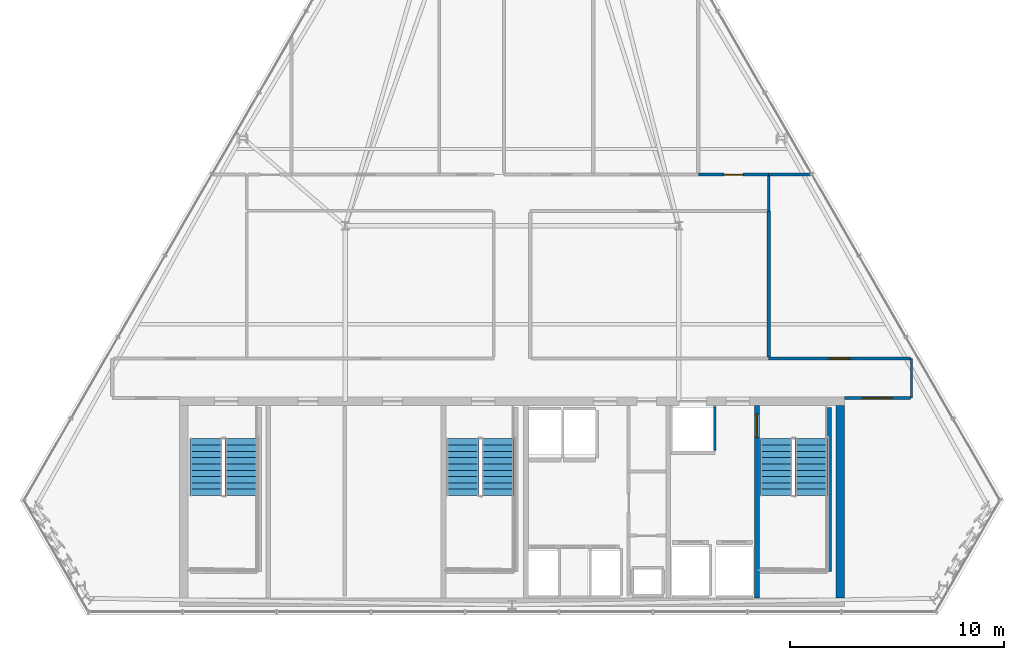
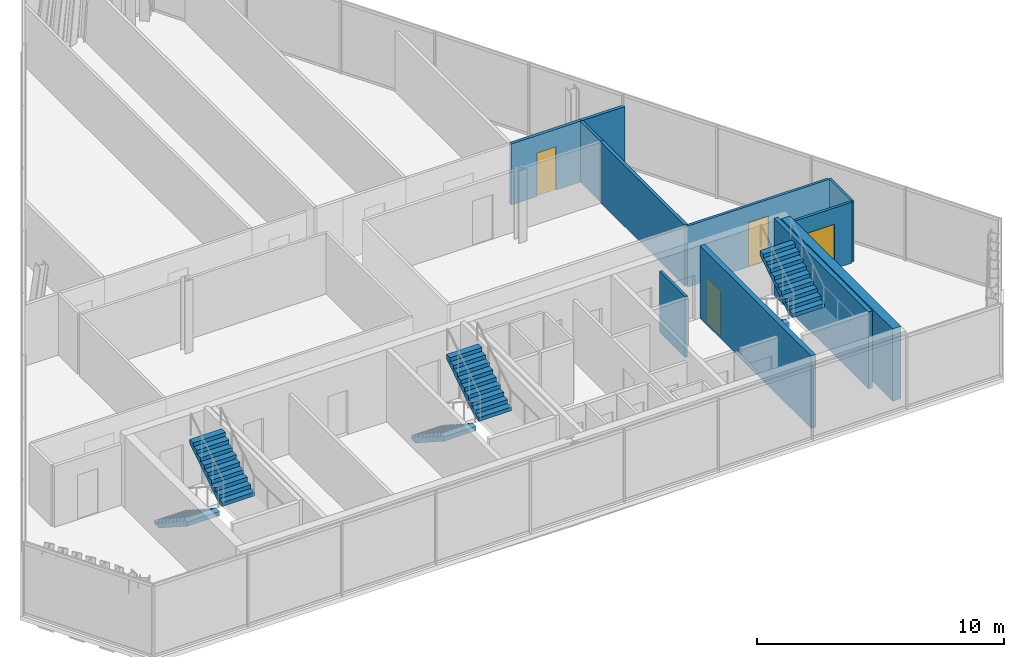
# One storey, part 29 of 32: 11 walls, 6 stair flights, 4 doors, 4 openings, 3 elements without a shape of their own.
"""IFC4 building model written with IfcOpenShell, lengths in metres."""

from ifc_helpers import new_model, si_unit, direction, frame, frame_2d, origin, place, context, subcontext, project, spatial, polyline, rectangle, outline, extrude, material, layer, layer_set, type_object, element, fill, aggregate, save


model = new_model("IFC4")

# Units and contexts
model_context = context("Model", 3, precision=1e-05, world=origin(), true_north=direction((0.0, 1.0)))
body_context = subcontext(model_context, "Body", "Model", "MODEL_VIEW")
ifc_project = project(units=[si_unit("LENGTHUNIT", "METRE"), si_unit("AREAUNIT", "SQUARE_METRE"), si_unit("VOLUMEUNIT", "CUBIC_METRE"), si_unit("PLANEANGLEUNIT", "RADIAN"), si_unit("MASSUNIT", "GRAM", prefix="KILO")], contexts=[model_context])

# Site, building, storey
site_placement = place(None, origin())
site = spatial("IfcSite", under=ifc_project, at=site_placement, CompositionType="ELEMENT")
building_placement = place(site_placement, origin())
building = spatial("IfcBuilding", under=site, at=building_placement, Name="Ndaravel Arena Tower", CompositionType="ELEMENT")
storey_placement = place(building_placement, frame((0.0, 0.0, 259.800048828125)))
storey = spatial("IfcBuildingStorey", under=building, at=storey_placement, Name="L63", CompositionType="ELEMENT", Elevation=259.800048828125)

# Wall, opening, door
ifc_material_1 = material(Name="Concrete C50/60", Category="concrete")
ifc_layer_1 = layer(ifc_material_1, 0.219970703125)
ifc_layer_set_1 = layer_set([ifc_layer_1], Name="Concrete C50/60")
wall_type_1 = type_object("IfcWallType", Name="WALL-CORE-220", PredefinedType="SOLIDWALL", material=ifc_layer_set_1)
wall_1_placement = place(storey_placement, frame((53.449951171875, 5.800048828125, 0.0), z_axis=(0.0, 0.0, 1.0), x_axis=(0.0, 1.0, 0.0)))
wall_1 = element("IfcWall", 1, at=wall_1_placement, inside=storey, type_object=wall_type_1, Name="L63 Core Web Shear Wall 5", PredefinedType="SOLIDWALL", context=body_context, shape_type="SweptSolid", body=[
    extrude(rectangle(XDim=9.0, YDim=0.219970703125, at=frame_2d((4.5, 0.0))), origin(), (0.0, 0.0, 1.0), 3.579833984375),
])
opening_1_placement = place(wall_1_placement, frame((7.5, 0.0, 0.0)))
opening_1 = element("IfcOpeningElement", 2, at=opening_1_placement, cuts=wall_1, Name="Opening FD-01", PredefinedType="OPENING", context=body_context, shape_type="SweptSolid", body=[
    extrude(rectangle(XDim=1.10009765625, YDim=2.199951171875, at=frame_2d((0.550048828125, 1.10009765625))), frame((0.0, 0.10986328125, 0.0), z_axis=(0.0, -1.0, 0.0), x_axis=(1.0, 0.0, 0.0)), (0.0, 0.0, 1.0), 0.219970703125),
])
ifc_material_2 = material(Name="Steel S355", Category="steel")
door_type_1 = type_object("IfcDoorType", Name="DT-01-STAIR-1100", OperationType="SINGLE_SWING_LEFT", PredefinedType="DOOR", material=ifc_material_2)
door_1_placement = place(opening_1_placement, origin())
door_1 = element("IfcDoor", 3, at=door_1_placement, inside=storey, type_object=door_type_1, Name="L63 Firefighting Lobby to ST-3 Door", OperationType="SINGLE_SWING_LEFT", OverallHeight=2.199951171875, OverallWidth=1.10009765625, PredefinedType="DOOR", context=body_context, shape_type="SweptSolid", body=[
    extrude(rectangle(XDim=1.10009765625, YDim=2.199951171875, at=frame_2d((0.550048828125, 1.10009765625))), frame((0.0, 0.02490234375, 0.0), z_axis=(0.0, -1.0, 0.0), x_axis=(1.0, 0.0, 0.0)), (0.0, 0.0, 1.0), 0.050048828125),
])
fill(opening_1, door_1)

# Walls
ifc_material_3 = material(Name="Concrete C50/60", Category="concrete")
ifc_layer_2 = layer(ifc_material_3, 0.39990234375)
ifc_layer_set_2 = layer_set([ifc_layer_2], Name="Concrete C50/60")
wall_type_2 = type_object("IfcWallType", Name="WALL-CORE-400", PredefinedType="SOLIDWALL", material=ifc_layer_set_2)
wall_2_placement = place(storey_placement, frame((57.35009765625, 5.800048828125, 0.0), z_axis=(0.0, 0.0, 1.0), x_axis=(0.0, 1.0, 0.0)))
element("IfcWall", 4, at=wall_2_placement, inside=storey, type_object=wall_type_2, Name="L63 Core East Shear Wall", PredefinedType="SOLIDWALL", context=body_context, shape_type="SweptSolid", body=[
    extrude(rectangle(XDim=9.0, YDim=0.39990234375, at=frame_2d((4.5, 0.0))), origin(), (0.0, 0.0, 1.0), 3.579833984375),
])
ifc_material_4 = material(Name="Timber", Category="wood")
ifc_layer_3 = layer(ifc_material_4, 0.10009765625)
ifc_layer_set_3 = layer_set([ifc_layer_3], Name="Timber")
wall_type_3 = type_object("IfcWallType", Name="WALL-MOVABLE-100", PredefinedType="MOVABLE", material=ifc_layer_set_3)
wall_3_placement = place(storey_placement, frame((60.68505859375, 17.0, 0.0), z_axis=(0.0, 0.0, 1.0), x_axis=(0.0, -1.0, 0.0)))
element("IfcWall", 5, at=wall_3_placement, inside=storey, type_object=wall_type_3, Name="L63 Interior Partition 001", PredefinedType="MOVABLE", context=body_context, shape_type="SweptSolid", body=[
    extrude(rectangle(XDim=1.85009765625, YDim=0.10009765625, at=frame_2d((0.925048828125, 0.0))), origin(), (0.0, 0.0, 1.0), 3.010498046875),
])

# Wall, opening, door
ifc_material_5 = material(Name="Gypsum", Category="gypsum")
ifc_layer_4 = layer(ifc_material_5, 0.125)
ifc_layer_set_4 = layer_set([ifc_layer_4], Name="Gypsum")
wall_type_4 = type_object("IfcWallType", Name="WALL-PART-125", PredefinedType="PARTITIONING", material=ifc_layer_set_4)
wall_4_placement = place(storey_placement, frame((60.6201171875, 15.14990234375, 0.0), z_axis=(0.0, 0.0, 1.0), x_axis=(-1.0, 0.0, 0.0)))
wall_4 = element("IfcWall", 6, at=wall_4_placement, inside=storey, type_object=wall_type_4, Name="L63 Interior Partition 002", PredefinedType="PARTITIONING", context=body_context, shape_type="SweptSolid", body=[
    extrude(rectangle(XDim=3.070068359375, YDim=0.125, at=frame_2d((1.53515625, 0.0))), origin(), (0.0, 0.0, 1.0), 3.010498046875),
])
opening_2_placement = place(wall_4_placement, frame((0.8349609375, 0.0, 0.0)))
opening_2 = element("IfcOpeningElement", 7, at=opening_2_placement, cuts=wall_4, Name="Opening ID-02", PredefinedType="OPENING", context=body_context, shape_type="SweptSolid", body=[
    extrude(rectangle(XDim=1.39990234375, YDim=2.199951171875, at=frame_2d((0.699951171875, 1.10009765625))), frame((0.0, 0.0625, 0.0), z_axis=(0.0, -1.0, 0.0), x_axis=(1.0, 0.0, 0.0)), (0.0, 0.0, 1.0), 0.125),
])
ifc_material_6 = material(Name="Timber", Category="wood")
door_type_2 = type_object("IfcDoorType", Name="DT-04-SUITE-1400", OperationType="DOUBLE_DOOR_SINGLE_SWING", PredefinedType="DOOR", material=ifc_material_6)
door_2_placement = place(opening_2_placement, origin())
door_2 = element("IfcDoor", 8, at=door_2_placement, inside=storey, type_object=door_type_2, Name="L63 Visitor Reception Desk Door", OperationType="SINGLE_SWING_LEFT", OverallHeight=2.199951171875, OverallWidth=1.39990234375, PredefinedType="DOOR", context=body_context, shape_type="SweptSolid", body=[
    extrude(rectangle(XDim=1.39990234375, YDim=2.199951171875, at=frame_2d((0.699951171875, 1.10009765625))), frame((0.0, 0.02490234375, 0.0), z_axis=(0.0, -1.0, 0.0), x_axis=(1.0, 0.0, 0.0)), (0.0, 0.0, 1.0), 0.050048828125),
])
fill(opening_2, door_2)

# Wall
wall_5_placement = place(storey_placement, frame((54.0, 25.534912109375, 0.0), z_axis=(0.0, 0.0, 1.0), x_axis=(0.0, -1.0, 0.0)))
element("IfcWall", 9, at=wall_5_placement, inside=storey, type_object=wall_type_4, Name="L63 Interior Partition 017", PredefinedType="PARTITIONING", context=body_context, shape_type="SweptSolid", body=[
    extrude(rectangle(XDim=1.635009765625, YDim=0.125, at=frame_2d((0.8173828125, 0.0))), origin(), (0.0, 0.0, 1.0), 3.010498046875),
])

# Wall, opening, door
wall_6_placement = place(storey_placement, frame((54.0, 17.0, 0.0), z_axis=(0.0, 0.0, 1.0), x_axis=(1.0, 0.0, 0.0)))
wall_6 = element("IfcWall", 10, at=wall_6_placement, inside=storey, type_object=wall_type_4, Name="L63 Interior Partition 021", PredefinedType="PARTITIONING", context=body_context, shape_type="SweptSolid", body=[
    extrude(rectangle(XDim=6.6201171875, YDim=0.125, at=frame_2d((3.31005859375, 0.0))), origin(), (0.0, 0.0, 1.0), 3.010498046875),
])
opening_3_placement = place(wall_6_placement, frame((2.8349609375, 0.0, 0.0)))
opening_3 = element("IfcOpeningElement", 11, at=opening_3_placement, cuts=wall_6, Name="Opening ID-01", PredefinedType="OPENING", context=body_context, shape_type="SweptSolid", body=[
    extrude(rectangle(XDim=0.949951171875, YDim=2.199951171875, at=frame_2d((0.47509765625, 1.10009765625))), frame((0.0, 0.0625, 0.0), z_axis=(0.0, -1.0, 0.0), x_axis=(1.0, 0.0, 0.0)), (0.0, 0.0, 1.0), 0.125),
])
ifc_material_7 = material(Name="Timber", Category="wood")
door_type_3 = type_object("IfcDoorType", Name="DT-03-OFFICE-950", OperationType="SINGLE_SWING_LEFT", PredefinedType="DOOR", material=ifc_material_7)
door_3_placement = place(opening_3_placement, origin())
door_3 = element("IfcDoor", 12, at=door_3_placement, inside=storey, type_object=door_type_3, Name="L63 Barista Galley 3 Door", OperationType="SINGLE_SWING_LEFT", OverallHeight=2.199951171875, OverallWidth=0.949951171875, PredefinedType="DOOR", context=body_context, shape_type="SweptSolid", body=[
    extrude(rectangle(XDim=0.949951171875, YDim=2.199951171875, at=frame_2d((0.47509765625, 1.10009765625))), frame((0.0, 0.02490234375, 0.0), z_axis=(0.0, -1.0, 0.0), x_axis=(1.0, 0.0, 0.0)), (0.0, 0.0, 1.0), 0.050048828125),
])
fill(opening_3, door_3)

# Walls
ifc_material_8 = material(Name="Concrete C40/50", Category="concrete")
ifc_layer_5 = layer(ifc_material_8, 0.1201171875)
ifc_layer_set_5 = layer_set([ifc_layer_5], Name="Concrete C40/50")
wall_type_5 = type_object("IfcWallType", Name="WALL-SHAFT-120", PredefinedType="SOLIDWALL", material=ifc_layer_set_5)
wall_7_placement = place(storey_placement, frame((51.47998046875, 12.68994140625, 0.0), z_axis=(0.0, 0.0, 1.0), x_axis=(0.0, 1.0, 0.0)))
element("IfcWall", 13, at=wall_7_placement, inside=storey, type_object=wall_type_5, Name="L63 SVL-1 Shaft E Wall", PredefinedType="SOLIDWALL", context=body_context, shape_type="SweptSolid", body=[
    extrude(rectangle(XDim=2.070068359375, YDim=0.1201171875, at=frame_2d((1.03515625, 0.0))), origin(), (0.0, 0.0, 1.0), 3.010498046875),
])
ifc_material_9 = material(Name="Concrete C40/50", Category="concrete")
ifc_layer_6 = layer(ifc_material_9, 0.199951171875)
ifc_layer_set_6 = layer_set([ifc_layer_6], Name="Concrete C40/50")
wall_type_6 = type_object("IfcWallType", Name="WALL-SHAFT-200", PredefinedType="SOLIDWALL", material=ifc_layer_set_6)
wall_8_placement = place(storey_placement, frame((56.840087890625, 14.699951171875, 0.0), z_axis=(0.0, 0.0, 1.0), x_axis=(0.0, -1.0, 0.0)))
element("IfcWall", 14, at=wall_8_placement, inside=storey, type_object=wall_type_6, Name="L63 ST-3 Structural Shaft Wall Right", PredefinedType="SOLIDWALL", context=body_context, shape_type="SweptSolid", body=[
    extrude(rectangle(XDim=7.64990234375, YDim=0.199951171875, at=frame_2d((3.824951171875, 0.0))), origin(), (0.0, 0.0, 1.0), 3.800048828125),
])

# Wall, opening, door
ifc_material_10 = material(Name="Masonry", Category="masonry")
ifc_layer_7 = layer(ifc_material_10, 0.14990234375)
ifc_layer_set_7 = layer_set([ifc_layer_7], Name="Masonry")
wall_type_7 = type_object("IfcWallType", Name="WALL-WET-150", PredefinedType="PARTITIONING", material=ifc_layer_set_7)
wall_9_placement = place(storey_placement, frame((50.7099609375, 25.60009765625, 0.0), z_axis=(0.0, 0.0, 1.0), x_axis=(1.0, 0.0, 0.0)))
wall_9 = element("IfcWall", 15, at=wall_9_placement, inside=storey, type_object=wall_type_7, Name="L63 Interior Partition 016", PredefinedType="PARTITIONING", context=body_context, shape_type="SweptSolid", body=[
    extrude(rectangle(XDim=3.2900390625, YDim=0.14990234375, at=frame_2d((1.64501953125, 0.0))), origin(), (0.0, 0.0, 1.0), 3.010498046875),
])
opening_4_placement = place(wall_9_placement, frame((1.195068359375, 0.0, 0.0)))
opening_4 = element("IfcOpeningElement", 16, at=opening_4_placement, cuts=wall_9, Name="Opening WD-01", PredefinedType="OPENING", context=body_context, shape_type="SweptSolid", body=[
    extrude(rectangle(XDim=0.89990234375, YDim=2.14990234375, at=frame_2d((0.449951171875, 1.074951171875))), frame((0.0, 0.074951171875, 0.0), z_axis=(0.0, -1.0, 0.0), x_axis=(1.0, 0.0, 0.0)), (0.0, 0.0, 1.0), 0.14990234375),
])
ifc_material_11 = material(Name="Timber", Category="wood")
door_type_4 = type_object("IfcDoorType", Name="DT-05-WC-900", OperationType="SINGLE_SWING_LEFT", PredefinedType="DOOR", material=ifc_material_11)
door_4_placement = place(opening_4_placement, origin())
door_4 = element("IfcDoor", 17, at=door_4_placement, inside=storey, type_object=door_type_4, Name="L63 Female & Accessible Restroom Door", OperationType="SINGLE_SWING_LEFT", OverallHeight=2.14990234375, OverallWidth=0.89990234375, PredefinedType="DOOR", context=body_context, shape_type="SweptSolid", body=[
    extrude(rectangle(XDim=0.89990234375, YDim=2.14990234375, at=frame_2d((0.449951171875, 1.074951171875))), frame((0.0, 0.02490234375, 0.0), z_axis=(0.0, -1.0, 0.0), x_axis=(1.0, 0.0, 0.0)), (0.0, 0.0, 1.0), 0.050048828125),
])
fill(opening_4, door_4)

# Walls
wall_10_placement = place(storey_placement, frame((54.0, 23.89990234375, 0.0), z_axis=(0.0, 0.0, 1.0), x_axis=(0.0, -1.0, 0.0)))
element("IfcWall", 18, at=wall_10_placement, inside=storey, type_object=wall_type_7, Name="L63 Interior Partition 024", PredefinedType="PARTITIONING", context=body_context, shape_type="SweptSolid", body=[
    extrude(rectangle(XDim=6.8349609375, YDim=0.14990234375, at=frame_2d((3.41748046875, 0.0))), origin(), (0.0, 0.0, 1.0), 3.010498046875),
])
wall_11_placement = place(storey_placement, frame((54.0, 25.60009765625, 0.0), z_axis=(0.0, 0.0, 1.0), x_axis=(1.0, 0.0, 0.0)))
element("IfcWall", 19, at=wall_11_placement, inside=storey, type_object=wall_type_7, Name="L63 Interior Partition 025", PredefinedType="PARTITIONING", context=body_context, shape_type="SweptSolid", body=[
    extrude(rectangle(XDim=2.029296875, YDim=0.14990234375, at=frame_2d((1.0146484375, 0.0))), origin(), (0.0, 0.0, 1.0), 3.010498046875),
])

# Stair, stair flights
ifc_material_12 = material(Name="Concrete C40/50", Category="concrete")
stair_type = type_object("IfcStairType", Name="STAIR-CORE-HT", PredefinedType="HALF_TURN_STAIR", material=ifc_material_12)
stair_1_placement = place(storey_placement, origin())
stair_1 = element("IfcStair", 20, at=stair_1_placement, inside=storey, type_object=stair_type, Name="L63 ST-1", PredefinedType="HALF_TURN_STAIR")
ifc_material_13 = material(Name="Concrete C40/50", Category="concrete")
stair_flight_type = type_object("IfcStairFlightType", Name="SFLIGHT-CORE-1680", PredefinedType="STRAIGHT", material=ifc_material_13)
stair_flight_1_placement = place(storey_placement, frame((27.699951171875, 13.25, 0.0), z_axis=(0.0, 0.0, 1.0), x_axis=(0.0, -1.0, 0.0)))
stair_flight_1 = element("IfcStairFlight", 21, at=stair_flight_1_placement, type_object=stair_flight_type, Name="ST-1 flight 1", NumberOfRisers=10, NumberOfTreads=9, PredefinedType="STRAIGHT", RiserHeight=0.19, TreadLength=0.295, context=body_context, shape_type="SweptSolid", body=[
    extrude(outline(polyline([(0.0, 0.0), (0.0, 0.18994140625), (0.294921875, 0.18994140625), (0.294921875, 0.3798828125), (0.590087890625, 0.3798828125), (0.590087890625, 0.570068359375), (0.885009765625, 0.570068359375), (0.885009765625, 0.760009765625), (1.179931640625, 0.760009765625), (1.179931640625, 0.949951171875), (1.47509765625, 0.949951171875), (1.47509765625, 1.139892578125), (1.77001953125, 1.139892578125), (1.77001953125, 1.330078125), (2.06494140625, 1.330078125), (2.06494140625, 1.52001953125), (2.360107421875, 1.52001953125), (2.360107421875, 1.7099609375), (2.655029296875, 1.7099609375), (2.655029296875, 1.89990234375), (2.655029296875, 1.49609375), (0.332275390625, 0.0), (0.0, 0.0)])), frame((0.0, 0.75, 0.0), z_axis=(0.0, -1.0, 0.0), x_axis=(1.0, 0.0, 0.0)), (0.0, 0.0, 1.0), 1.5),
])
stair_flight_2_placement = place(storey_placement, frame((29.340087890625, 10.594970703125, 1.89990234375), z_axis=(0.0, 0.0, 1.0), x_axis=(0.0, 1.0, 0.0)))
stair_flight_2 = element("IfcStairFlight", 22, at=stair_flight_2_placement, type_object=stair_flight_type, Name="ST-1 flight 2", NumberOfRisers=10, NumberOfTreads=9, PredefinedType="STRAIGHT", RiserHeight=0.19, TreadLength=0.295, context=body_context, shape_type="SweptSolid", body=[
    extrude(outline(polyline([(0.0, 0.0), (0.0, 0.18994140625), (0.294921875, 0.18994140625), (0.294921875, 0.3798828125), (0.590087890625, 0.3798828125), (0.590087890625, 0.570068359375), (0.885009765625, 0.570068359375), (0.885009765625, 0.760009765625), (1.179931640625, 0.760009765625), (1.179931640625, 0.949951171875), (1.47509765625, 0.949951171875), (1.47509765625, 1.139892578125), (1.77001953125, 1.139892578125), (1.77001953125, 1.330078125), (2.06494140625, 1.330078125), (2.06494140625, 1.52001953125), (2.360107421875, 1.52001953125), (2.360107421875, 1.7099609375), (2.655029296875, 1.7099609375), (2.655029296875, 1.89990234375), (2.655029296875, 1.49609375), (0.332275390625, 0.0), (0.0, 0.0)])), frame((0.0, 0.75, 0.0), z_axis=(0.0, -1.0, 0.0), x_axis=(1.0, 0.0, 0.0)), (0.0, 0.0, 1.0), 1.5),
])
aggregate(stair_1, [stair_flight_1, stair_flight_2])

stair_2_placement = place(storey_placement, origin())
stair_2 = element("IfcStair", 23, at=stair_2_placement, inside=storey, type_object=stair_type, Name="L63 ST-2", PredefinedType="HALF_TURN_STAIR")
stair_flight_3_placement = place(storey_placement, frame((39.699951171875, 13.25, 0.0), z_axis=(0.0, 0.0, 1.0), x_axis=(0.0, -1.0, 0.0)))
stair_flight_3 = element("IfcStairFlight", 24, at=stair_flight_3_placement, type_object=stair_flight_type, Name="ST-2 flight 1", NumberOfRisers=10, NumberOfTreads=9, PredefinedType="STRAIGHT", RiserHeight=0.19, TreadLength=0.295, context=body_context, shape_type="SweptSolid", body=[
    extrude(outline(polyline([(0.0, 0.0), (0.0, 0.18994140625), (0.294921875, 0.18994140625), (0.294921875, 0.3798828125), (0.590087890625, 0.3798828125), (0.590087890625, 0.570068359375), (0.885009765625, 0.570068359375), (0.885009765625, 0.760009765625), (1.179931640625, 0.760009765625), (1.179931640625, 0.949951171875), (1.47509765625, 0.949951171875), (1.47509765625, 1.139892578125), (1.77001953125, 1.139892578125), (1.77001953125, 1.330078125), (2.06494140625, 1.330078125), (2.06494140625, 1.52001953125), (2.360107421875, 1.52001953125), (2.360107421875, 1.7099609375), (2.655029296875, 1.7099609375), (2.655029296875, 1.89990234375), (2.655029296875, 1.49609375), (0.332275390625, 0.0), (0.0, 0.0)])), frame((0.0, 0.75, 0.0), z_axis=(0.0, -1.0, 0.0), x_axis=(1.0, 0.0, 0.0)), (0.0, 0.0, 1.0), 1.5),
])
stair_flight_4_placement = place(storey_placement, frame((41.340087890625, 10.594970703125, 1.89990234375), z_axis=(0.0, 0.0, 1.0), x_axis=(0.0, 1.0, 0.0)))
stair_flight_4 = element("IfcStairFlight", 25, at=stair_flight_4_placement, type_object=stair_flight_type, Name="ST-2 flight 2", NumberOfRisers=10, NumberOfTreads=9, PredefinedType="STRAIGHT", RiserHeight=0.19, TreadLength=0.295, context=body_context, shape_type="SweptSolid", body=[
    extrude(outline(polyline([(0.0, 0.0), (0.0, 0.18994140625), (0.294921875, 0.18994140625), (0.294921875, 0.3798828125), (0.590087890625, 0.3798828125), (0.590087890625, 0.570068359375), (0.885009765625, 0.570068359375), (0.885009765625, 0.760009765625), (1.179931640625, 0.760009765625), (1.179931640625, 0.949951171875), (1.47509765625, 0.949951171875), (1.47509765625, 1.139892578125), (1.77001953125, 1.139892578125), (1.77001953125, 1.330078125), (2.06494140625, 1.330078125), (2.06494140625, 1.52001953125), (2.360107421875, 1.52001953125), (2.360107421875, 1.7099609375), (2.655029296875, 1.7099609375), (2.655029296875, 1.89990234375), (2.655029296875, 1.49609375), (0.332275390625, 0.0), (0.0, 0.0)])), frame((0.0, 0.75, 0.0), z_axis=(0.0, -1.0, 0.0), x_axis=(1.0, 0.0, 0.0)), (0.0, 0.0, 1.0), 1.5),
])
aggregate(stair_2, [stair_flight_3, stair_flight_4])

stair_3_placement = place(storey_placement, origin())
stair_3 = element("IfcStair", 26, at=stair_3_placement, inside=storey, type_object=stair_type, Name="L63 ST-3", PredefinedType="HALF_TURN_STAIR")
stair_flight_5_placement = place(storey_placement, frame((54.35009765625, 13.25, 0.0), z_axis=(0.0, 0.0, 1.0), x_axis=(0.0, -1.0, 0.0)))
stair_flight_5 = element("IfcStairFlight", 27, at=stair_flight_5_placement, type_object=stair_flight_type, Name="ST-3 flight 1", NumberOfRisers=10, NumberOfTreads=9, PredefinedType="STRAIGHT", RiserHeight=0.19, TreadLength=0.295, context=body_context, shape_type="SweptSolid", body=[
    extrude(outline(polyline([(0.0, 0.0), (0.0, 0.18994140625), (0.294921875, 0.18994140625), (0.294921875, 0.3798828125), (0.590087890625, 0.3798828125), (0.590087890625, 0.570068359375), (0.885009765625, 0.570068359375), (0.885009765625, 0.760009765625), (1.179931640625, 0.760009765625), (1.179931640625, 0.949951171875), (1.47509765625, 0.949951171875), (1.47509765625, 1.139892578125), (1.77001953125, 1.139892578125), (1.77001953125, 1.330078125), (2.06494140625, 1.330078125), (2.06494140625, 1.52001953125), (2.360107421875, 1.52001953125), (2.360107421875, 1.7099609375), (2.655029296875, 1.7099609375), (2.655029296875, 1.89990234375), (2.655029296875, 1.49609375), (0.332275390625, 0.0), (0.0, 0.0)])), frame((0.0, 0.75, 0.0), z_axis=(0.0, -1.0, 0.0), x_axis=(1.0, 0.0, 0.0)), (0.0, 0.0, 1.0), 1.5),
])
stair_flight_6_placement = place(storey_placement, frame((55.989990234375, 10.594970703125, 1.89990234375), z_axis=(0.0, 0.0, 1.0), x_axis=(0.0, 1.0, 0.0)))
stair_flight_6 = element("IfcStairFlight", 28, at=stair_flight_6_placement, type_object=stair_flight_type, Name="ST-3 flight 2", NumberOfRisers=10, NumberOfTreads=9, PredefinedType="STRAIGHT", RiserHeight=0.19, TreadLength=0.295, context=body_context, shape_type="SweptSolid", body=[
    extrude(outline(polyline([(0.0, 0.0), (0.0, 0.18994140625), (0.294921875, 0.18994140625), (0.294921875, 0.3798828125), (0.590087890625, 0.3798828125), (0.590087890625, 0.570068359375), (0.885009765625, 0.570068359375), (0.885009765625, 0.760009765625), (1.179931640625, 0.760009765625), (1.179931640625, 0.949951171875), (1.47509765625, 0.949951171875), (1.47509765625, 1.139892578125), (1.77001953125, 1.139892578125), (1.77001953125, 1.330078125), (2.06494140625, 1.330078125), (2.06494140625, 1.52001953125), (2.360107421875, 1.52001953125), (2.360107421875, 1.7099609375), (2.655029296875, 1.7099609375), (2.655029296875, 1.89990234375), (2.655029296875, 1.49609375), (0.332275390625, 0.0), (0.0, 0.0)])), frame((0.0, 0.75, 0.0), z_axis=(0.0, -1.0, 0.0), x_axis=(1.0, 0.0, 0.0)), (0.0, 0.0, 1.0), 1.5),
])
aggregate(stair_3, [stair_flight_5, stair_flight_6])

save(model, "model.ifc")
